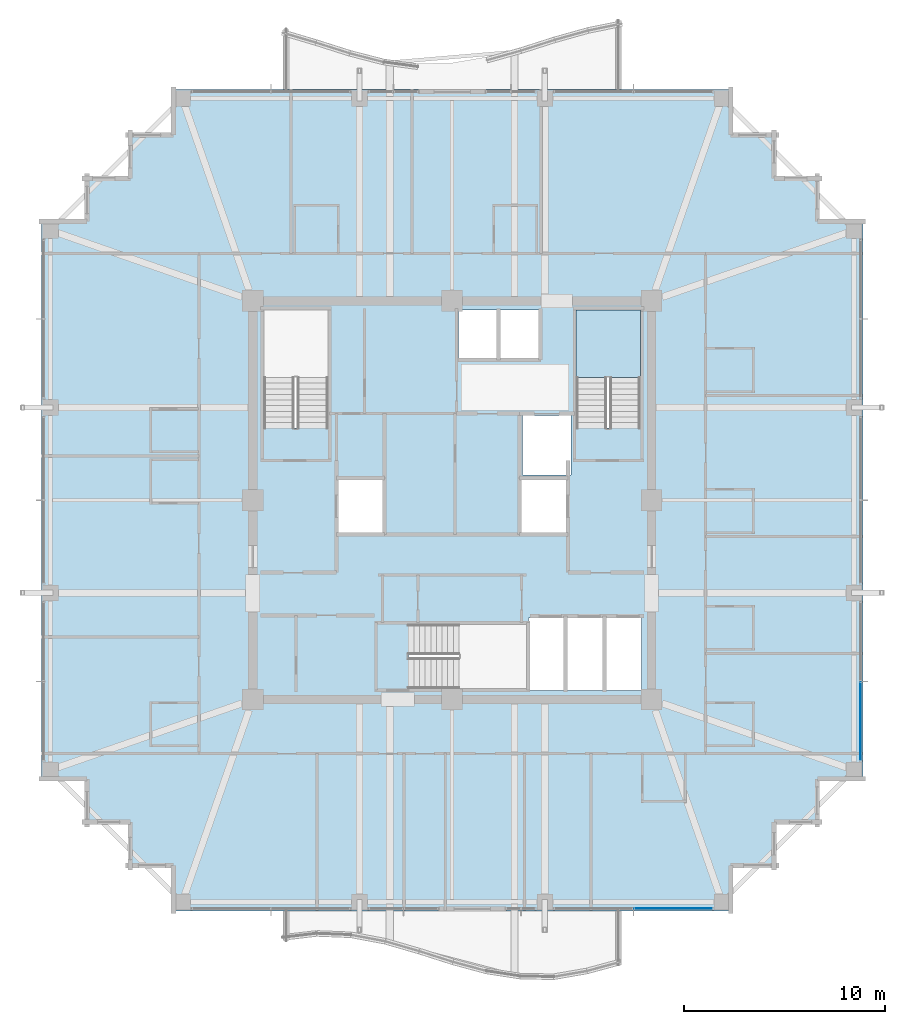
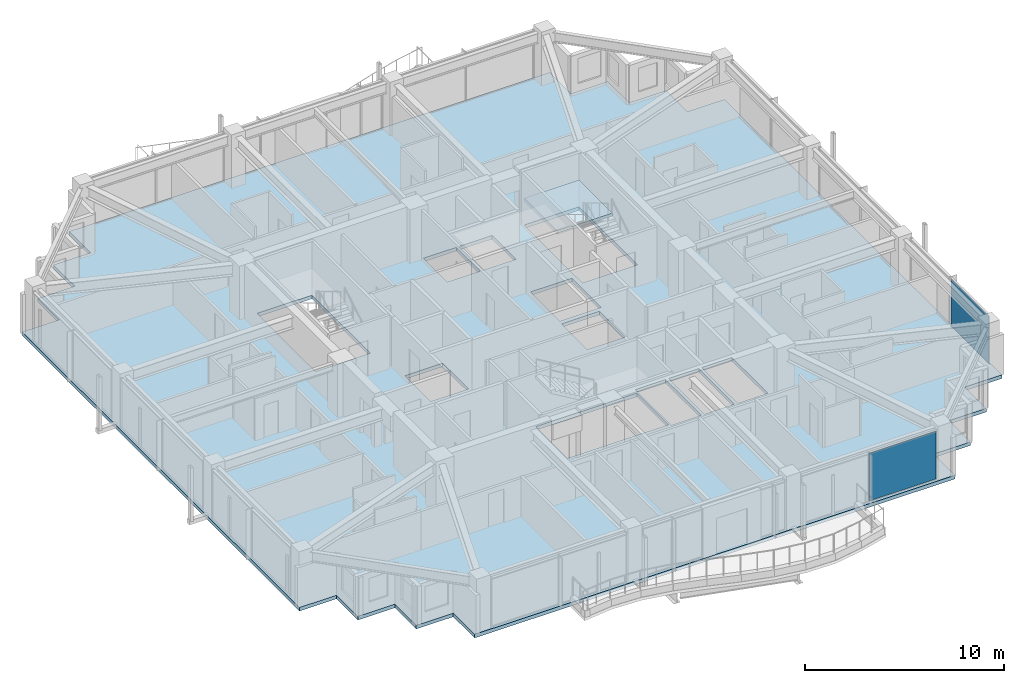
# One storey, part 27 of 38: 2 plates, 2 slabs, 3 elements without a shape of their own.
"""IFC4 building model written with IfcOpenShell, lengths in metres."""

from ifc_helpers import new_model, si_unit, direction, frame, origin, origin_2d, place, context, subcontext, project, spatial, polyline, rectangle, outline, extrude, material, layer, layer_set, type_object, element, aggregate, save


model = new_model("IFC4")

# Units and contexts
model_context = context("Model", 3, precision=1e-05, world=origin(), true_north=direction((0.0, 1.0)))
body_context = subcontext(model_context, "Body", "Model", "MODEL_VIEW")
ifc_project = project(units=[si_unit("LENGTHUNIT", "METRE"), si_unit("AREAUNIT", "SQUARE_METRE"), si_unit("VOLUMEUNIT", "CUBIC_METRE"), si_unit("PLANEANGLEUNIT", "RADIAN"), si_unit("MASSUNIT", "GRAM", prefix="KILO")], contexts=[model_context])

# Site, building, storey
site_placement = place(None, origin())
site = spatial("IfcSite", under=ifc_project, at=site_placement, CompositionType="ELEMENT")
building_placement = place(site_placement, origin())
building = spatial("IfcBuilding", under=site, at=building_placement, Name="Kolvaren Belvedere", CompositionType="ELEMENT")
storey_placement = place(building_placement, frame((0.0, 0.0, 213.0)))
storey = spatial("IfcBuildingStorey", under=building, at=storey_placement, Name="L62", CompositionType="ELEMENT", Elevation=213.0)

# Curtain wall, plate
ifc_material_1 = material(Name="Anodised pale-metal aluminium AA 6063-T6", Category="aluminium")
curtain_wall_type = type_object("IfcCurtainWallType", Name="CW-Z5-HIGH", PredefinedType="NOTDEFINED", material=ifc_material_1)
curtain_wall_1_placement = place(storey_placement, origin())
curtain_wall_1 = element("IfcCurtainWall", 1, at=curtain_wall_1_placement, inside=storey, type_object=curtain_wall_type, Name="L62 Unitised Curtain Wall FCW-L62-S1-B1", PredefinedType="NOTDEFINED")
ifc_material_2 = material(Name="Low-iron triple insulated glass", Category="glass")
ifc_layer_1 = layer(ifc_material_2, 0.028076171875)
ifc_layer_set_1 = layer_set([ifc_layer_1], Name="Low-iron triple insulated glass")
plate_type = type_object("IfcPlateType", Name="CW-PNL-VIS28", PredefinedType="CURTAIN_PANEL", material=ifc_layer_set_1)
plate_1_placement = place(storey_placement, frame((10.972412109375, -20.280029296875, 0.080078125), z_axis=(0.0, 0.0, 1.0), x_axis=(-1.0, 0.0, 0.0)))
plate_1 = element("IfcPlate", 2, at=plate_1_placement, type_object=plate_type, Name="FCW-L62-S1-B1 Vision Glazing Panel 1", PredefinedType="CURTAIN_PANEL", context=body_context, shape_type="SweptSolid", body=[
    extrude(rectangle(XDim=3.864990234375, YDim=0.028076171875, at=origin_2d()), origin(), (0.0, 0.0, 1.0), 2.919921875),
])
aggregate(curtain_wall_1, [plate_1])

curtain_wall_2_placement = place(storey_placement, origin())
curtain_wall_2 = element("IfcCurtainWall", 3, at=curtain_wall_2_placement, inside=storey, type_object=curtain_wall_type, Name="L62 Unitised Curtain Wall FCW-L62-E-B3", PredefinedType="NOTDEFINED")
plate_2_placement = place(storey_placement, frame((20.280029296875, -10.972412109375, 0.080078125), z_axis=(0.0, 0.0, 1.0), x_axis=(0.0, -1.0, 0.0)))
plate_2 = element("IfcPlate", 4, at=plate_2_placement, type_object=plate_type, Name="FCW-L62-E-B3 Vision Glazing Panel 2", PredefinedType="CURTAIN_PANEL", context=body_context, shape_type="SweptSolid", body=[
    extrude(rectangle(XDim=3.864990234375, YDim=0.028076171875, at=origin_2d()), origin(), (0.0, 0.0, 1.0), 2.919921875),
])
aggregate(curtain_wall_2, [plate_2])

# Slab
ifc_material_3 = material(Name="Concrete C50/60", Category="concrete")
ifc_layer_2 = layer(ifc_material_3, 0.219970703125)
ifc_layer_set_2 = layer_set([ifc_layer_2], Name="Concrete C50/60")
slab_type_1 = type_object("IfcSlabType", Name="SL-FLR-220", PredefinedType="FLOOR", material=ifc_layer_set_2)
slab_1_placement = place(storey_placement, frame((0.0, 0.0, -0.219970703125)))
element("IfcSlab", 5, at=slab_1_placement, inside=storey, type_object=slab_type_1, Name="L62 Primary Structural Slab", PredefinedType="FLOOR", context=body_context, shape_type="SweptSolid", body=[
    extrude(outline(polyline([(-13.949951171875, -20.39990234375), (13.949951171875, -20.39990234375), (13.949951171875, -18.25), (16.10009765625, -18.25), (16.10009765625, -16.10009765625), (18.25, -16.10009765625), (18.25, -13.949951171875), (20.39990234375, -13.949951171875), (20.39990234375, 13.949951171875), (18.25, 13.949951171875), (18.25, 16.10009765625), (16.10009765625, 16.10009765625), (16.10009765625, 18.25), (13.949951171875, 18.25), (13.949951171875, 20.39990234375), (-13.949951171875, 20.39990234375), (-13.949951171875, 18.25), (-16.10009765625, 18.25), (-16.10009765625, 16.10009765625), (-18.25, 16.10009765625), (-18.25, 13.949951171875), (-20.39990234375, 13.949951171875), (-20.39990234375, -13.949951171875), (-18.25, -13.949951171875), (-18.25, -16.10009765625), (-16.10009765625, -16.10009765625), (-16.10009765625, -18.25), (-13.949951171875, -18.25), (-13.949951171875, -20.39990234375)]), holes=[polyline([(-9.35009765625, 3.580078125), (-6.159912109375, 3.580078125), (-6.159912109375, 9.449951171875), (-9.35009765625, 9.449951171875), (-9.35009765625, 3.580078125)]), polyline([(6.159912109375, 3.580078125), (9.35009765625, 3.580078125), (9.35009765625, 9.449951171875), (6.159912109375, 9.449951171875), (6.159912109375, 3.580078125)]), polyline([(-2.169921875, -9.35009765625), (3.699951171875, -9.35009765625), (3.699951171875, -6.159912109375), (-2.169921875, -6.159912109375), (-2.169921875, -9.35009765625)]), polyline([(-5.64990234375, -1.60009765625), (-3.449951171875, -1.60009765625), (-3.449951171875, 1.0), (-5.64990234375, 1.0), (-5.64990234375, -1.60009765625)]), polyline([(3.5, 1.25), (5.89990234375, 1.25), (5.89990234375, 4.199951171875), (3.5, 4.199951171875), (3.5, 1.25)]), polyline([(3.449951171875, -1.60009765625), (5.64990234375, -1.60009765625), (5.64990234375, 1.0), (3.449951171875, 1.0), (3.449951171875, -1.60009765625)]), polyline([(3.7900390625, -9.449951171875), (5.5400390625, -9.449951171875), (5.5400390625, -5.85009765625), (3.7900390625, -5.85009765625), (3.7900390625, -9.449951171875)]), polyline([(5.719970703125, -9.449951171875), (7.469970703125, -9.449951171875), (7.469970703125, -5.85009765625), (5.719970703125, -5.85009765625), (5.719970703125, -9.449951171875)]), polyline([(7.64990234375, -9.449951171875), (9.39990234375, -9.449951171875), (9.39990234375, -5.85009765625), (7.64990234375, -5.85009765625), (7.64990234375, -9.449951171875)]), polyline([(0.320068359375, 7.050048828125), (2.219970703125, 7.050048828125), (2.219970703125, 9.449951171875), (0.320068359375, 9.449951171875), (0.320068359375, 7.050048828125)]), polyline([(2.39990234375, 7.050048828125), (4.300048828125, 7.050048828125), (4.300048828125, 9.449951171875), (2.39990234375, 9.449951171875), (2.39990234375, 7.050048828125)])]), origin(), (0.0, 0.0, 1.0), 0.219970703125),
])

# Stair, slab
ifc_material_4 = material(Name="Concrete C50/60", Category="concrete")
stair_type = type_object("IfcStairType", Name="ST-CORE-1520", PredefinedType="HALF_TURN_STAIR", material=ifc_material_4)
stair_placement = place(storey_placement, origin())
stair = element("IfcStair", 6, at=stair_placement, inside=storey, type_object=stair_type, Name="L62 Protected Exit Stair ST-2", PredefinedType="HALF_TURN_STAIR")
ifc_material_5 = material(Name="Concrete C50/60", Category="concrete")
ifc_layer_3 = layer(ifc_material_5, 0.260009765625)
ifc_layer_set_3 = layer_set([ifc_layer_3], Name="Concrete C50/60")
slab_type_2 = type_object("IfcSlabType", Name="SL-LAND-260", PredefinedType="LANDING", material=ifc_layer_set_3)
slab_2_placement = place(storey_placement, frame((0.0, 0.0, 1.449951171875)))
slab_2 = element("IfcSlab", 7, at=slab_2_placement, type_object=slab_type_2, Name="ST-2 landing 1", PredefinedType="LANDING", context=body_context, shape_type="SweptSolid", body=[
    extrude(outline(polyline([(9.35009765625, 6.090087890625), (9.35009765625, 9.449951171875), (6.159912109375, 9.449951171875), (6.159912109375, 6.090087890625), (9.35009765625, 6.090087890625)])), origin(), (0.0, 0.0, 1.0), 0.199951171875),
])
aggregate(stair, [slab_2])

save(model, "model.ifc")
